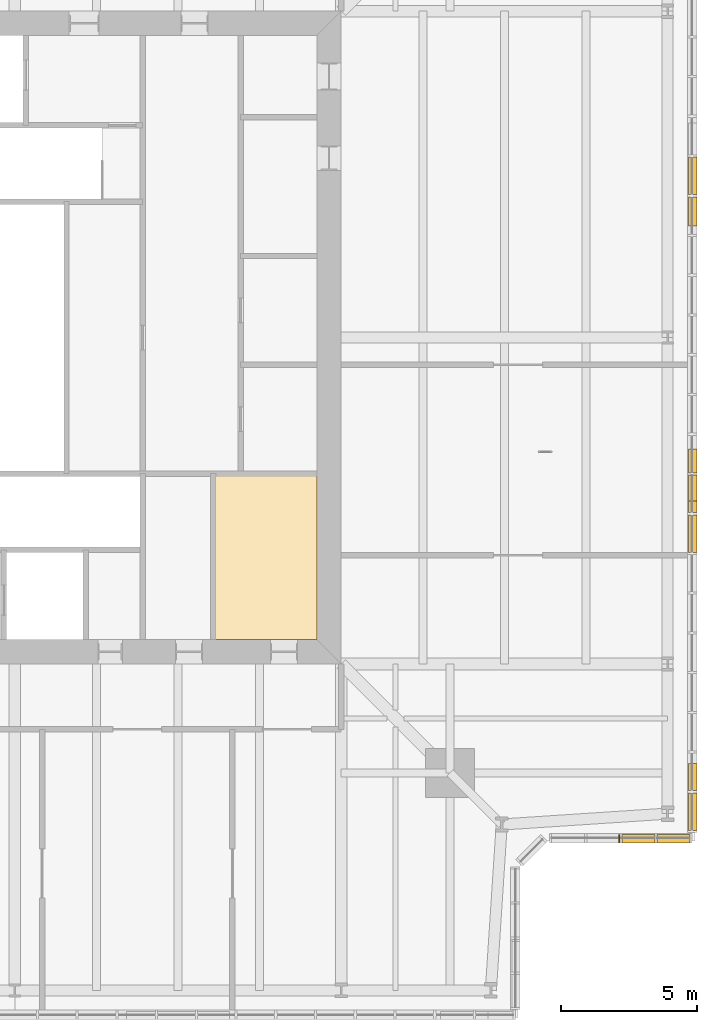
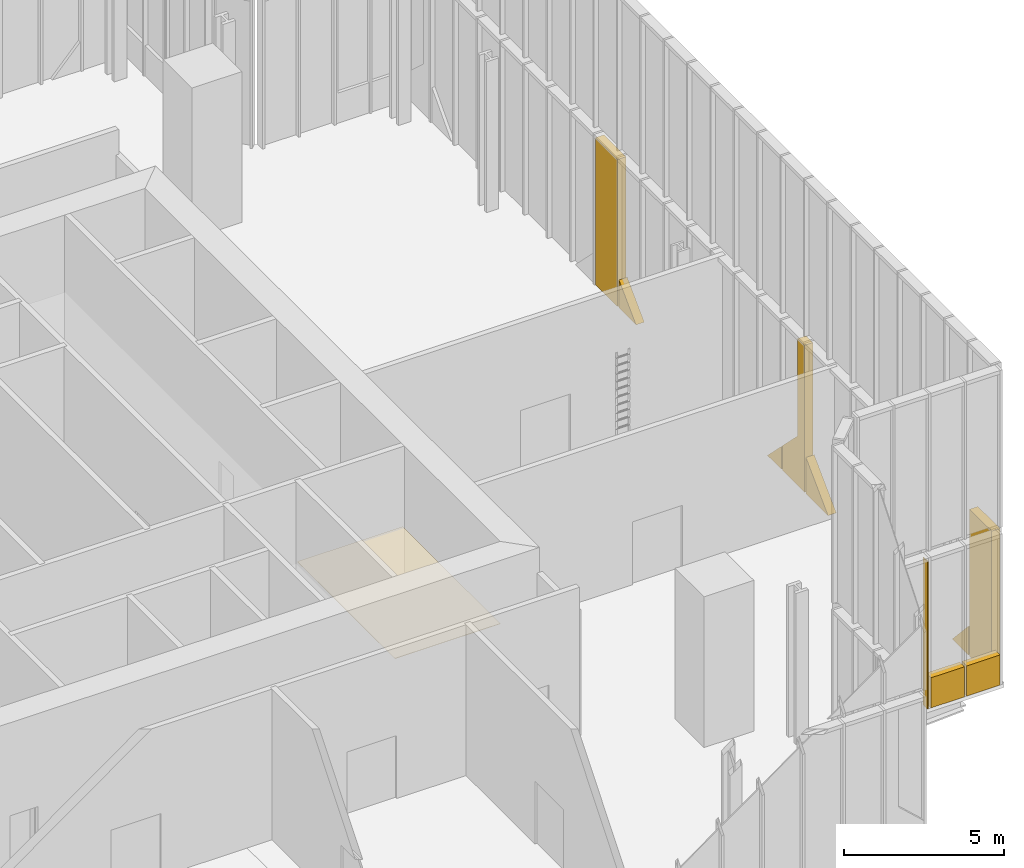
# One storey, part 22 of 25: 11 coverings.
"""IFC4 building model written with IfcOpenShell, lengths in metres."""

from ifc_helpers import new_model, si_unit, direction, frame, origin, place, context, subcontext, project, spatial, polyline, outline, extrude, material, layer, layer_set, type_object, element, save


model = new_model("IFC4")

# Units and contexts
model_context = context("Model", 3, precision=1e-05, world=origin(), true_north=direction((0.0, 1.0)))
body_context = subcontext(model_context, "Body", "Model", "MODEL_VIEW")
ifc_project = project(units=[si_unit("LENGTHUNIT", "METRE"), si_unit("AREAUNIT", "SQUARE_METRE"), si_unit("VOLUMEUNIT", "CUBIC_METRE"), si_unit("PLANEANGLEUNIT", "RADIAN"), si_unit("MASSUNIT", "GRAM", prefix="KILO")], contexts=[model_context])

# Site, building, storey
site_placement = place(None, origin())
site = spatial("IfcSite", under=ifc_project, at=site_placement, CompositionType="ELEMENT")
building_placement = place(site_placement, origin())
building = spatial("IfcBuilding", under=site, at=building_placement, Name="Fenwick Lantern Interchange", CompositionType="ELEMENT")
storey_placement = place(building_placement, frame((0.0, 0.0, 307.800048828125)))
storey = spatial("IfcBuildingStorey", under=building, at=storey_placement, Name="L74", CompositionType="ELEMENT", Elevation=307.800048828125)

# Coverings
ifc_material_1 = material(Name="Granite cladding, warm grey flamed finish, on aluminium carrier frame", Category="masonry")
ifc_layer_1 = layer(ifc_material_1, 0.300048828125)
ifc_layer_set_1 = layer_set([ifc_layer_1], Name="BRACE CASING PANEL 300")
covering_type_1 = type_object("IfcCoveringType", Name="BRACE CASING PANEL 300", PredefinedType="CLADDING", material=ifc_layer_set_1)
covering_1_placement = place(storey_placement, frame((44.45849609375, 6.60009765625, 0.0), z_axis=(0.0, 0.0, 1.0), x_axis=(1.0, 0.0, 0.0)))
element("IfcCovering", 1, at=covering_1_placement, inside=storey, type_object=covering_type_1, Name="Brace casing 04 bay 01a", PredefinedType="CLADDING", context=body_context, shape_type="SweptSolid", body=[
    extrude(outline(polyline([(2.741455078125, 0.0), (2.78076171875, 0.0), (2.78076171875, 5.60986328125), (2.741455078125, 5.60986328125), (2.741455078125, 0.0)])), frame((0.0, 0.125, 0.0), z_axis=(0.0, -1.0, 0.0), x_axis=(1.0, 0.0, 0.0)), (0.0, 0.0, 1.0), 0.300048828125),
])
covering_2_placement = place(storey_placement, frame((44.45849609375, 6.60009765625, 0.0), z_axis=(0.0, 0.0, 1.0), x_axis=(1.0, 0.0, 0.0)))
element("IfcCovering", 2, at=covering_2_placement, inside=storey, type_object=covering_type_1, Name="Brace casing 04 bay 02a", PredefinedType="CLADDING", context=body_context, shape_type="SweptSolid", body=[
    extrude(outline(polyline([(2.860595703125, 0.0), (4.071044921875, 0.0), (4.071044921875, 1.14990234375), (2.860595703125, 1.14990234375), (2.860595703125, 0.0)])), frame((0.0, 0.125, 0.0), z_axis=(0.0, -1.0, 0.0), x_axis=(1.0, 0.0, 0.0)), (0.0, 0.0, 1.0), 0.300048828125),
])
covering_3_placement = place(storey_placement, frame((44.45849609375, 6.60009765625, 0.0), z_axis=(0.0, 0.0, 1.0), x_axis=(1.0, 0.0, 0.0)))
element("IfcCovering", 3, at=covering_3_placement, inside=storey, type_object=covering_type_1, Name="Brace casing 04 bay 03a", PredefinedType="CLADDING", context=body_context, shape_type="SweptSolid", body=[
    extrude(outline(polyline([(4.151123046875, 0.0), (5.361328125, 0.0), (5.361328125, 1.14990234375), (4.151123046875, 1.14990234375), (4.151123046875, 0.0)])), frame((0.0, 0.125, 0.0), z_axis=(0.0, -1.0, 0.0), x_axis=(1.0, 0.0, 0.0)), (0.0, 0.0, 1.0), 0.300048828125),
])
covering_4_placement = place(storey_placement, frame((49.89990234375, 6.60009765625, 0.0), z_axis=(0.0, 0.0, 1.0), x_axis=(0.0, 1.0, 0.0)))
element("IfcCovering", 4, at=covering_4_placement, inside=storey, type_object=covering_type_1, Name="Brace casing 05 bay 00a", PredefinedType="CLADDING", context=body_context, shape_type="SweptSolid", body=[
    extrude(outline(polyline([(0.280029296875, 0.0), (1.660888671875, 0.0), (1.660888671875, 5.60986328125), (0.280029296875, 5.60986328125), (0.280029296875, 0.0)])), frame((0.0, 0.125, 0.0), z_axis=(0.0, -1.0, 0.0), x_axis=(1.0, 0.0, 0.0)), (0.0, 0.0, 1.0), 0.300048828125),
])
covering_5_placement = place(storey_placement, frame((49.89990234375, 6.60009765625, 0.0), z_axis=(0.0, 0.0, 1.0), x_axis=(0.0, 1.0, 0.0)))
element("IfcCovering", 5, at=covering_5_placement, inside=storey, type_object=covering_type_1, Name="Brace casing 05 bay 01a", PredefinedType="CLADDING", context=body_context, shape_type="SweptSolid", body=[
    extrude(outline(polyline([(1.74072265625, 0.0), (2.74609375, 0.0), (1.74072265625, 1.096435546875), (1.74072265625, 0.0)])), frame((0.0, 0.125, 0.0), z_axis=(0.0, -1.0, 0.0), x_axis=(1.0, 0.0, 0.0)), (0.0, 0.0, 1.0), 0.300048828125),
])
covering_6_placement = place(storey_placement, frame((49.89990234375, 6.60009765625, 0.0), z_axis=(0.0, 0.0, 1.0), x_axis=(0.0, 1.0, 0.0)))
element("IfcCovering", 6, at=covering_6_placement, inside=storey, type_object=covering_type_1, Name="Brace casing 05 bay 07a", PredefinedType="CLADDING", context=body_context, shape_type="SweptSolid", body=[
    extrude(outline(polyline([(10.505615234375, 0.0), (11.886474609375, 0.0), (11.886474609375, 1.3818359375), (10.505615234375, 0.001220703125), (10.505615234375, 0.0)])), frame((0.0, 0.125, 0.0), z_axis=(0.0, -1.0, 0.0), x_axis=(1.0, 0.0, 0.0)), (0.0, 0.0, 1.0), 0.300048828125),
])
covering_7_placement = place(storey_placement, frame((49.89990234375, 6.60009765625, 0.0), z_axis=(0.0, 0.0, 1.0), x_axis=(0.0, 1.0, 0.0)))
element("IfcCovering", 7, at=covering_7_placement, inside=storey, type_object=covering_type_1, Name="Brace casing 05 bay 08a", PredefinedType="CLADDING", context=body_context, shape_type="SweptSolid", body=[
    extrude(outline(polyline([(11.96630859375, 0.0), (13.34716796875, 0.0), (13.34716796875, 0.9482421875), (12.39990234375, 1.8955078125), (12.39990234375, 5.60986328125), (11.96630859375, 5.60986328125), (11.96630859375, 0.0)])), frame((0.0, 0.125, 0.0), z_axis=(0.0, -1.0, 0.0), x_axis=(1.0, 0.0, 0.0)), (0.0, 0.0, 1.0), 0.300048828125),
])
covering_8_placement = place(storey_placement, frame((49.89990234375, 6.60009765625, 0.0), z_axis=(0.0, 0.0, 1.0), x_axis=(0.0, 1.0, 0.0)))
element("IfcCovering", 8, at=covering_8_placement, inside=storey, type_object=covering_type_1, Name="Brace casing 05 bay 09a", PredefinedType="CLADDING", context=body_context, shape_type="SweptSolid", body=[
    extrude(outline(polyline([(13.42724609375, 0.0), (14.295654296875, 0.0), (13.42724609375, 0.868408203125), (13.42724609375, 0.0)])), frame((0.0, 0.125, 0.0), z_axis=(0.0, -1.0, 0.0), x_axis=(1.0, 0.0, 0.0)), (0.0, 0.0, 1.0), 0.300048828125),
])
covering_9_placement = place(storey_placement, frame((49.89990234375, 6.60009765625, 0.0), z_axis=(0.0, 0.0, 1.0), x_axis=(0.0, 1.0, 0.0)))
element("IfcCovering", 9, at=covering_9_placement, inside=storey, type_object=covering_type_1, Name="Brace casing 05 bay 15a", PredefinedType="CLADDING", context=body_context, shape_type="SweptSolid", body=[
    extrude(outline(polyline([(22.50439453125, 0.0), (23.57275390625, 0.0), (23.57275390625, 1.068359375), (22.50439453125, 0.0)])), frame((0.0, 0.125, 0.0), z_axis=(0.0, -1.0, 0.0), x_axis=(1.0, 0.0, 0.0)), (0.0, 0.0, 1.0), 0.300048828125),
])
covering_10_placement = place(storey_placement, frame((49.89990234375, 6.60009765625, 0.0), z_axis=(0.0, 0.0, 1.0), x_axis=(0.0, 1.0, 0.0)))
element("IfcCovering", 10, at=covering_10_placement, inside=storey, type_object=covering_type_1, Name="Brace casing 05 bay 16a", PredefinedType="CLADDING", context=body_context, shape_type="SweptSolid", body=[
    extrude(outline(polyline([(23.65283203125, 0.0), (25.03369140625, 0.0), (25.03369140625, 5.60986328125), (23.65283203125, 5.60986328125), (23.65283203125, 0.0)])), frame((0.0, 0.125, 0.0), z_axis=(0.0, -1.0, 0.0), x_axis=(1.0, 0.0, 0.0)), (0.0, 0.0, 1.0), 0.300048828125),
])
ifc_material_2 = material(Name="Moisture resistant gypsum board on suspended frame, painted")
ifc_layer_2 = layer(ifc_material_2, 0.014892578125)
ifc_layer_set_2 = layer_set([ifc_layer_2], Name="MOISTURE RESISTANT CEILING 15")
covering_type_2 = type_object("IfcCoveringType", Name="MOISTURE RESISTANT CEILING 15", PredefinedType="CEILING", material=ifc_layer_set_2)
covering_11_placement = place(storey_placement, frame((0.0, 0.0, 2.599853515625)))
element("IfcCovering", 11, at=covering_11_placement, inside=storey, type_object=covering_type_2, Name="Women's WC ceiling", PredefinedType="CEILING", context=body_context, shape_type="SweptSolid", body=[
    extrude(outline(polyline([(32.300048828125, 13.89990234375), (36.10009765625, 13.89990234375), (36.10009765625, 20.0), (32.300048828125, 20.0), (32.300048828125, 13.89990234375)])), origin(), (0.0, 0.0, 1.0), 0.01513671875),
])

save(model, "model.ifc")
